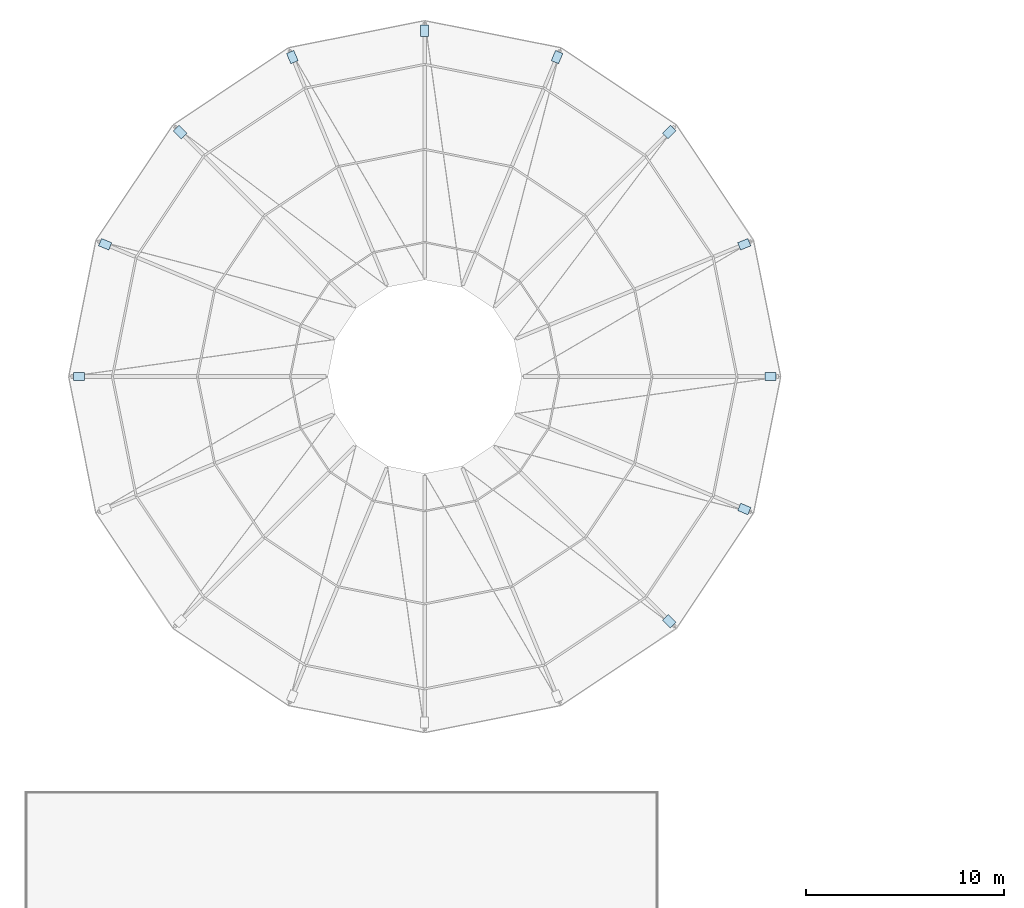
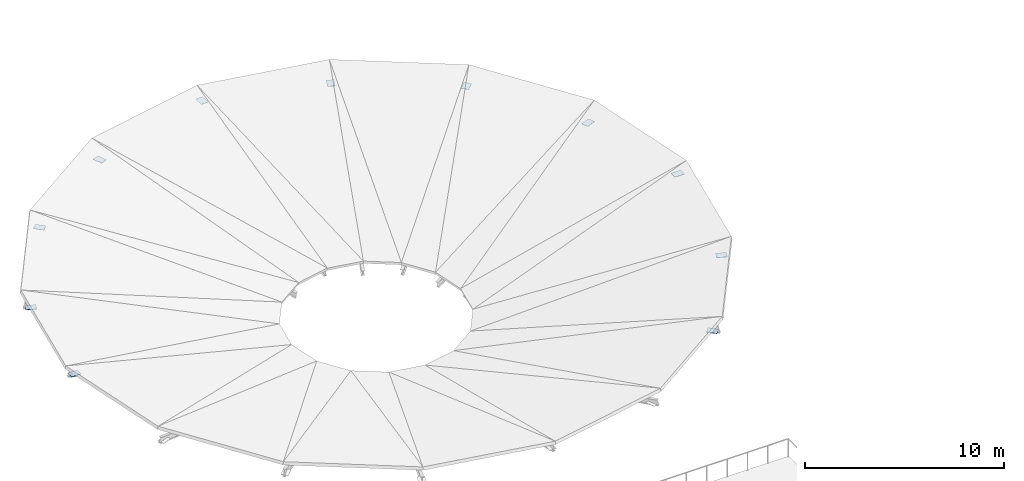
# One storey, part 24 of 31: 11 plates.
"""IFC4 building model written with IfcOpenShell, lengths in metres."""

from ifc_helpers import new_model, si_unit, direction, frame, origin, origin_2d, place, context, subcontext, project, spatial, rectangle, extrude, material, layer, layer_set, type_object, element, save


model = new_model("IFC4")

# Units and contexts
model_context = context("Model", 3, precision=1e-05, world=origin(), true_north=direction((0.0, 1.0)))
body_context = subcontext(model_context, "Body", "Model", "MODEL_VIEW")
ifc_project = project(units=[si_unit("LENGTHUNIT", "METRE"), si_unit("AREAUNIT", "SQUARE_METRE"), si_unit("VOLUMEUNIT", "CUBIC_METRE"), si_unit("PLANEANGLEUNIT", "RADIAN"), si_unit("MASSUNIT", "GRAM", prefix="KILO")], contexts=[model_context])

# Site, building, storey
site_placement = place(None, origin())
site = spatial("IfcSite", under=ifc_project, at=site_placement, CompositionType="ELEMENT")
building_placement = place(site_placement, origin())
building = spatial("IfcBuilding", under=site, at=building_placement, Name="Celadon Cloister-Ring School", CompositionType="ELEMENT")
storey_placement = place(building_placement, frame((0.0, 0.0, 16.5)))
storey = spatial("IfcBuildingStorey", under=building, at=storey_placement, Name="L04", CompositionType="ELEMENT", Elevation=16.5)

# Plates
ifc_material = material(Name="Structural steel S355JR", Category="steel")
ifc_layer = layer(ifc_material, 0.01611328125)
ifc_layer_set = layer_set([ifc_layer], Name="Structural steel S355JR")
plate_type = type_object("IfcPlateType", Name="PT-03", PredefinedType="SHEET", material=ifc_layer_set)
for number, where, z_axis, x_axis, name in (
    (1, (37.699951171875, 97.0, 2.571044921875), (0.0, 0.0, 1.0), (1.0, 0.0, 0.0), "Gusset Plate 0053"),
    (2, (36.367919921875, 103.697021484375, 2.10791015625), (0.0, 0.0, 1.0), (0.923879532511, 0.382683432365, 0.0), "Gusset Plate 0054"),
    (3, (32.573974609375, 109.3740234375, 2.243896484375), (0.0, 0.0, 1.0), (0.707106781187, 0.707106781187, 0.0), "Gusset Plate 0055"),
    (4, (26.89697265625, 113.16796875, 2.10791015625), (0.0, 0.0, 1.0), (0.382683432365, 0.923879532511, 0.0), "Gusset Plate 0056"),
    (5, (20.199951171875, 114.5, 2.571044921875), (0.0, 0.0, 1.0), (0.0, 1.0, 0.0), "Gusset Plate 0057"),
    (6, (13.5029296875, 113.16796875, 2.10791015625), (0.0, 0.0, 1.0), (-0.382683432365, 0.923879532511, 0.0), "Gusset Plate 0058"),
    (7, (7.825927734375, 109.3740234375, 2.243896484375), (0.0, 0.0, 1.0), (-0.707106781187, 0.707106781187, 0.0), "Gusset Plate 0059"),
    (8, (4.031982421875, 103.697021484375, 2.10791015625), (0.0, 0.0, 1.0), (-0.923879532511, 0.382683432365, 0.0), "Gusset Plate 0060"),
    (9, (2.699951171875, 97.0, 2.571044921875), (0.0, 0.0, 1.0), (-1.0, 0.0, 0.0), "Gusset Plate 0061"),
    (10, (32.573974609375, 84.6259765625, 2.243896484375), (0.0, 0.0, 1.0), (0.707106781187, -0.707106781187, 0.0), "Gusset Plate 0067"),
    (11, (36.367919921875, 90.302978515625, 2.10791015625), (0.0, 0.0, 1.0), (0.923879532511, -0.382683432365, 0.0), "Gusset Plate 0068"),
):
    element("IfcPlate", number, at=place(storey_placement, frame(where, z_axis=z_axis, x_axis=x_axis)), inside=storey, type_object=plate_type, Name=name, PredefinedType="SHEET", context=body_context, shape_type="SweptSolid", body=[
        extrude(rectangle(XDim=0.56005859375, YDim=0.39990234375, at=origin_2d()), origin(), (0.0, 0.0, 1.0), 0.01611328125),
    ])

save(model, "model.ifc")
